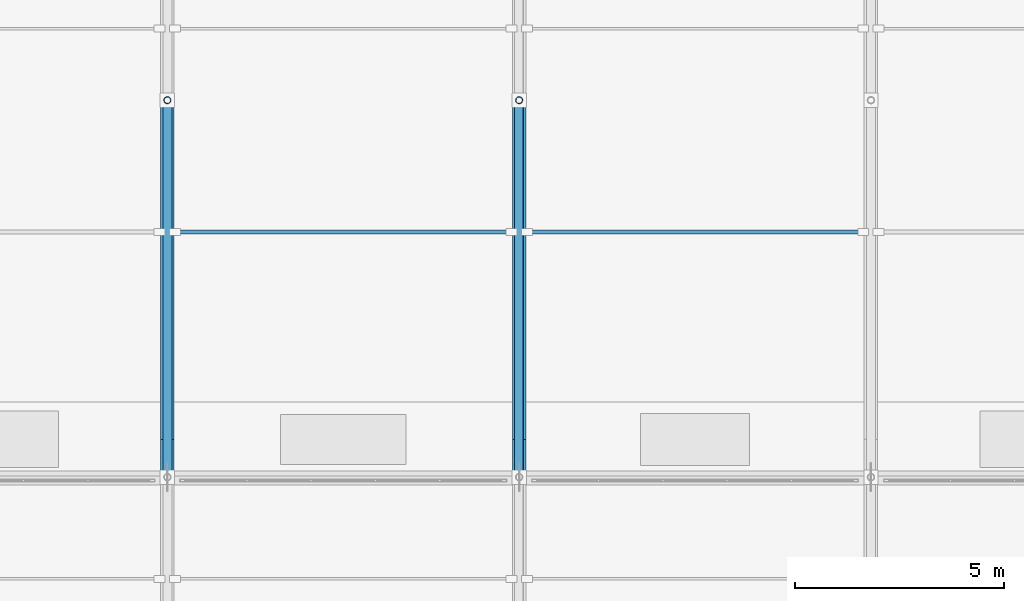
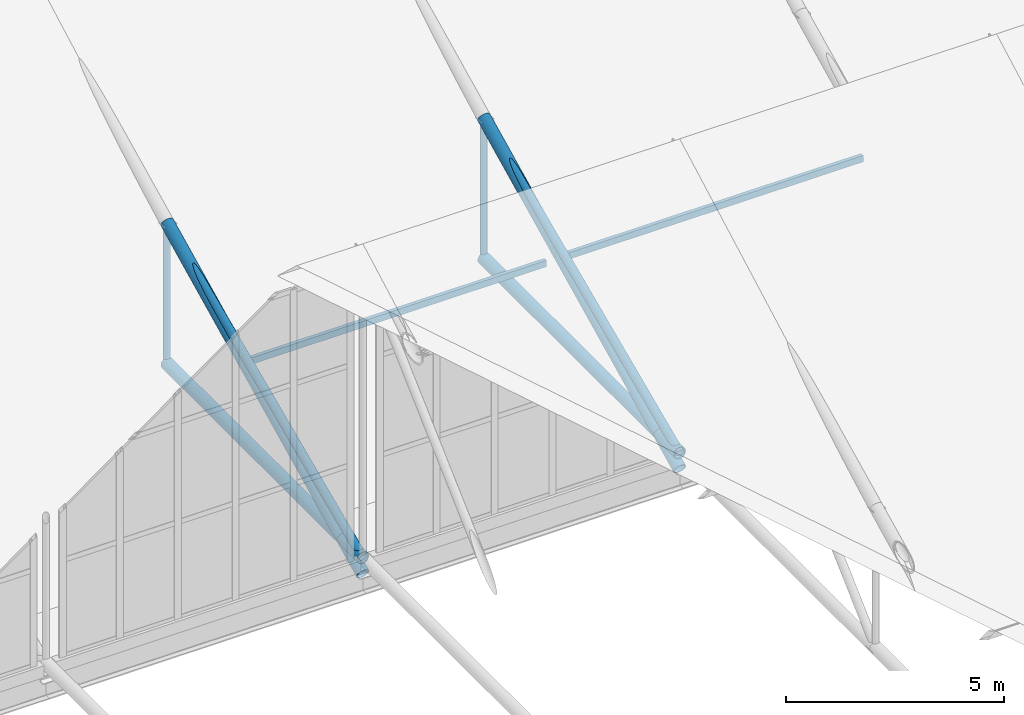
# One storey, part 14 of 38: 10 members.
"""IFC4 building model written with IfcOpenShell, lengths in metres."""

from ifc_helpers import new_model, si_unit, direction, frame, origin, origin_2d, place, context, subcontext, project, spatial, hollow_rectangle, hollow_circle, extrude, material, material_profile, profile_set, type_object, element, save


model = new_model("IFC4")

# Units and contexts
model_context = context("Model", 3, precision=1e-05, world=origin(), true_north=direction((0.0, 1.0)))
body_context = subcontext(model_context, "Body", "Model", "MODEL_VIEW")
ifc_project = project(units=[si_unit("LENGTHUNIT", "METRE"), si_unit("AREAUNIT", "SQUARE_METRE"), si_unit("VOLUMEUNIT", "CUBIC_METRE"), si_unit("PLANEANGLEUNIT", "RADIAN"), si_unit("MASSUNIT", "GRAM", prefix="KILO")], contexts=[model_context])

# Site, building, storey
site_placement = place(None, origin())
site = spatial("IfcSite", under=ifc_project, at=site_placement, CompositionType="ELEMENT")
building_placement = place(site_placement, origin())
building = spatial("IfcBuilding", under=site, at=building_placement, Name="Veltarok Museum of Natural Sciences", CompositionType="ELEMENT")
storey_placement = place(building_placement, frame((0.0, 0.0, 31.199951171875)))
storey = spatial("IfcBuildingStorey", under=building, at=storey_placement, Name="RF", CompositionType="ELEMENT", Elevation=31.199951171875)

# Members
ifc_material_1 = material(Name="Steel S355J2", Category="steel")
ifc_material_profile_1 = material_profile(ifc_material_1, hollow_rectangle(XDim=0.10009765625, YDim=0.179931640625, WallThickness=0.008056640625, at=origin_2d()), Name="RHS 180x100x8")
ifc_profile_set_1 = profile_set([ifc_material_profile_1], Name="Steel S355J2")
member_type_1 = type_object("IfcMemberType", Name="Heavy Valley Roof Purlin RHS 180x100x8", PredefinedType="PURLIN", material=ifc_profile_set_1)
for number, where, z_axis, x_axis, name in (
    (1, (65.3798828125, 59.85009765625, -3.950439453125), (1.0, 0.0, 0.0), (0.0, 1.0, 0.0), "Sawtooth Purlin 8-9 M2"),
    (2, (73.780029296875, 59.85009765625, -3.950439453125), (1.0, 0.0, 0.0), (0.0, 1.0, 0.0), "Sawtooth Purlin 9-10 M2"),
):
    element("IfcMember", number, at=place(storey_placement, frame(where, z_axis=z_axis, x_axis=x_axis)), inside=storey, type_object=member_type_1, Name=name, PredefinedType="PURLIN", context=body_context, shape_type="SweptSolid", body=[
        extrude(hollow_rectangle(XDim=0.10009765625, YDim=0.179931640625, WallThickness=0.008056640625, at=origin_2d()), origin(), (0.0, 0.0, 1.0), 8.0400390625),
    ])
ifc_material_2 = material(Name="Oxide-red painted Steel S355J2", Category="steel")
ifc_material_profile_2 = material_profile(ifc_material_2, hollow_circle(Radius=0.161865234375, WallThickness=0.01611328125, at=origin_2d()), Name="CHS 323.9x16")
ifc_profile_set_2 = profile_set([ifc_material_profile_2], Name="Oxide-red painted Steel S355J2")
member_type_2 = type_object("IfcMemberType", Name="Sawtooth Truss Chord CHS 323.9x16", PredefinedType="CHORD", material=ifc_profile_set_2)
member_1_placement = place(storey_placement, frame((65.199951171875, 54.0, -5.800048828125), z_axis=(0.0, 1.0, 0.0), x_axis=(-1.0, 0.0, 0.0)))
element("IfcMember", 3, at=member_1_placement, inside=storey, type_object=member_type_2, Name="Roof Truss Bottom Chord 8 M2", PredefinedType="CHORD", context=body_context, shape_type="SweptSolid", body=[
    extrude(hollow_circle(Radius=0.161865234375, WallThickness=0.01611328125, at=origin_2d()), origin(), (0.0, 0.0, 1.0), 9.0),
])
member_2_placement = place(storey_placement, frame((65.199951171875, 54.0, -6.25), z_axis=(0.0, 0.898378591281, 0.43922193334), x_axis=(-1.0, 0.0, 0.0)))
element("IfcMember", 4, at=member_2_placement, inside=storey, type_object=member_type_2, Name="Roof Truss Top Chord 8 M2", PredefinedType="CHORD", context=body_context, shape_type="SweptSolid", body=[
    extrude(hollow_circle(Radius=0.161865234375, WallThickness=0.01611328125, at=origin_2d()), origin(), (0.0, 0.0, 1.0), 10.01806640625),
])
member_3_placement = place(storey_placement, frame((73.60009765625, 54.0, -5.800048828125), z_axis=(0.0, 1.0, 0.0), x_axis=(-1.0, 0.0, 0.0)))
element("IfcMember", 5, at=member_3_placement, inside=storey, type_object=member_type_2, Name="Roof Truss Bottom Chord 9 M2", PredefinedType="CHORD", context=body_context, shape_type="SweptSolid", body=[
    extrude(hollow_circle(Radius=0.161865234375, WallThickness=0.01611328125, at=origin_2d()), origin(), (0.0, 0.0, 1.0), 9.0),
])
member_4_placement = place(storey_placement, frame((73.60009765625, 54.0, -6.25), z_axis=(0.0, 0.898378591281, 0.43922193334), x_axis=(-1.0, 0.0, 0.0)))
element("IfcMember", 6, at=member_4_placement, inside=storey, type_object=member_type_2, Name="Roof Truss Top Chord 9 M2", PredefinedType="CHORD", context=body_context, shape_type="SweptSolid", body=[
    extrude(hollow_circle(Radius=0.161865234375, WallThickness=0.01611328125, at=origin_2d()), origin(), (0.0, 0.0, 1.0), 10.01806640625),
])
ifc_material_profile_3 = material_profile(ifc_material_2, hollow_circle(Radius=0.084228515625, WallThickness=0.008056640625, at=origin_2d()), Name="CHS 168.3x8")
ifc_profile_set_3 = profile_set([ifc_material_profile_3], Name="Oxide-red painted Steel S355J2")
member_type_3 = type_object("IfcMemberType", Name="Sawtooth Truss Vertical Strut CHS 168.3x8", PredefinedType="STRUT", material=ifc_profile_set_3)
for number, where, z_axis, x_axis, name in (
    (7, (65.199951171875, 63.0, -5.800048828125), (0.0, 0.0, 1.0), (1.0, 0.0, 0.0), "Roof Truss Strut 8 M2"),
    (8, (73.60009765625, 63.0, -5.800048828125), (0.0, 0.0, 1.0), (1.0, 0.0, 0.0), "Roof Truss Strut 9 M2"),
):
    element("IfcMember", number, at=place(storey_placement, frame(where, z_axis=z_axis, x_axis=x_axis)), inside=storey, type_object=member_type_3, Name=name, PredefinedType="STRUT", context=body_context, shape_type="SweptSolid", body=[
        extrude(hollow_circle(Radius=0.084228515625, WallThickness=0.008056640625, at=origin_2d()), origin(), (0.0, 0.0, 1.0), 3.9501953125),
    ])
ifc_material_profile_4 = material_profile(ifc_material_2, hollow_circle(Radius=0.109619140625, WallThickness=0.010009765625, at=origin_2d()), Name="CHS 219.1x10")
ifc_profile_set_4 = profile_set([ifc_material_profile_4], Name="Oxide-red painted Steel S355J2")
member_type_4 = type_object("IfcMemberType", Name="Sawtooth Truss Web Diagonal CHS 219.1x10", PredefinedType="BRACE", material=ifc_profile_set_4)
for number, where, z_axis, x_axis, name in (
    (9, (65.199951171875, 54.0, -5.800048828125), (0.0, 0.915682381641, 0.401902694633), (-1.0, 0.0, 0.0), "Roof Truss Diagonal 8 M2"),
    (10, (73.60009765625, 54.0, -5.800048828125), (0.0, 0.915682381641, 0.401902694633), (-1.0, 0.0, 0.0), "Roof Truss Diagonal 9 M2"),
):
    element("IfcMember", number, at=place(storey_placement, frame(where, z_axis=z_axis, x_axis=x_axis)), inside=storey, type_object=member_type_4, Name=name, PredefinedType="BRACE", context=body_context, shape_type="SweptSolid", body=[
        extrude(hollow_circle(Radius=0.109619140625, WallThickness=0.010009765625, at=origin_2d()), origin(), (0.0, 0.0, 1.0), 9.828857421875),
    ])

save(model, "model.ifc")
